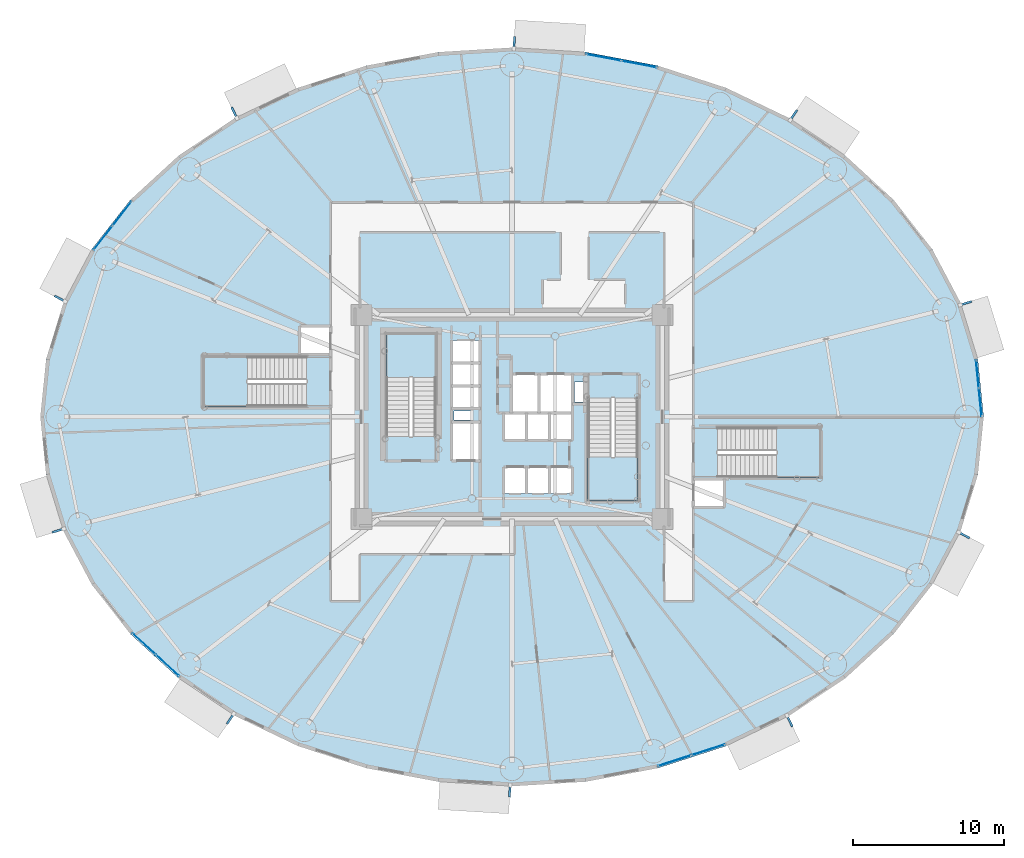
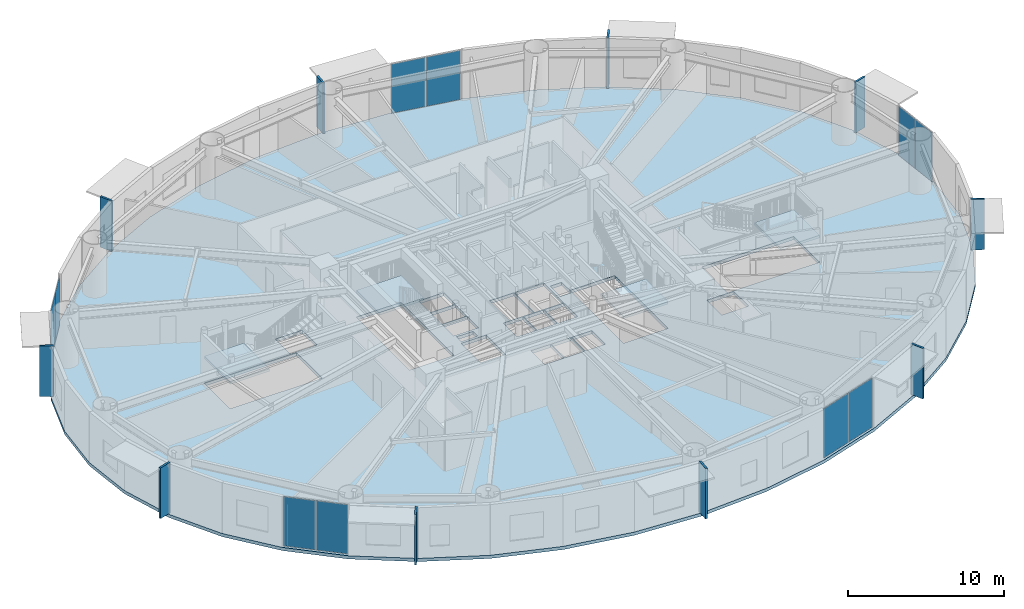
# One storey, part 12 of 32: 20 plates, 5 slabs, 9 elements without a shape of their own.
"""IFC4 building model written with IfcOpenShell, lengths in metres."""

from ifc_helpers import new_model, si_unit, direction, frame, origin, origin_2d, place, context, subcontext, project, spatial, polyline, rectangle, outline, extrude, source, transform, mapped, material, layer, layer_set, type_object, element, aggregate, save


model = new_model("IFC4")

# Units and contexts
model_context = context("Model", 3, precision=1e-05, world=origin(), true_north=direction((0.0, 1.0)))
body_context = subcontext(model_context, "Body", "Model", "MODEL_VIEW")
ifc_project = project(units=[si_unit("LENGTHUNIT", "METRE"), si_unit("AREAUNIT", "SQUARE_METRE"), si_unit("VOLUMEUNIT", "CUBIC_METRE"), si_unit("PLANEANGLEUNIT", "RADIAN"), si_unit("MASSUNIT", "GRAM", prefix="KILO")], contexts=[model_context])

# Site, building, storey
site_placement = place(None, origin())
site = spatial("IfcSite", under=ifc_project, at=site_placement, CompositionType="ELEMENT")
building_placement = place(site_placement, origin())
building = spatial("IfcBuilding", under=site, at=building_placement, Name="Linh Dai School and Residence Tower", CompositionType="ELEMENT")
storey_placement = place(building_placement, frame((0.0, 0.0, 53.39990234375)))
storey = spatial("IfcBuildingStorey", under=building, at=storey_placement, Name="L12", CompositionType="ELEMENT", Elevation=53.39990234375)

# Slab
ifc_material_1 = material(Name="Concrete B45 (C35/45)", Category="concrete")
ifc_layer_1 = layer(ifc_material_1, 0.25)
ifc_layer_set_1 = layer_set([ifc_layer_1], Name="Concrete B45 (C35/45)")
slab_type_1 = type_object("IfcSlabType", Name="SLB-FLR250", PredefinedType="FLOOR", material=ifc_layer_set_1)
slab_1_placement = place(storey_placement, frame((0.0, 0.0, -0.25)))
element("IfcSlab", 1, at=slab_1_placement, inside=storey, type_object=slab_type_1, Name="L12 Composite Structural Floor Slab", PredefinedType="FLOOR", context=body_context, shape_type="SweptSolid", body=[
    extrude(outline(polyline([(67.199951171875, 27.0), (66.81591796875, 30.82177734375), (65.6728515625, 34.54931640625), (63.79931640625, 38.091064453125), (61.2412109375, 41.359619140625), (58.061767578125, 44.274658203125), (54.3388671875, 46.764404296875), (50.16455078125, 48.767333984375), (45.641357421875, 50.234375), (40.880859375, 51.129150390625), (36.0, 51.429931640625), (31.119140625, 51.129150390625), (26.358642578125, 50.234375), (21.83544921875, 48.767333984375), (17.6611328125, 46.764404296875), (13.938232421875, 44.274658203125), (10.7587890625, 41.359619140625), (8.20068359375, 38.091064453125), (6.3271484375, 34.54931640625), (5.18408203125, 30.82177734375), (4.800048828125, 27.0), (5.18408203125, 23.17822265625), (6.3271484375, 19.45068359375), (8.20068359375, 15.908935546875), (10.7587890625, 12.640380859375), (13.938232421875, 9.725341796875), (17.6611328125, 7.235595703125), (21.83544921875, 5.232666015625), (26.358642578125, 3.765625), (31.119140625, 2.870849609375), (36.0, 2.570068359375), (40.880859375, 2.870849609375), (45.641357421875, 3.765625), (50.16455078125, 5.232666015625), (54.3388671875, 7.235595703125), (58.061767578125, 9.725341796875), (61.2412109375, 12.640380859375), (63.79931640625, 15.908935546875), (65.6728515625, 19.45068359375), (66.81591796875, 23.17822265625), (67.199951171875, 27.0)]), holes=[polyline([(30.97998046875, 25.699951171875), (30.97998046875, 32.5), (27.679931640625, 32.5), (27.679931640625, 25.699951171875), (30.97998046875, 25.699951171875)]), polyline([(41.02001953125, 28.25), (41.02001953125, 21.449951171875), (44.320068359375, 21.449951171875), (44.320068359375, 28.25), (41.02001953125, 28.25)]), polyline([(22.39990234375, 31.0), (15.60009765625, 31.0), (15.60009765625, 27.699951171875), (22.39990234375, 27.699951171875), (22.39990234375, 31.0)]), polyline([(49.60009765625, 23.0), (56.39990234375, 23.0), (56.39990234375, 26.300048828125), (49.60009765625, 26.300048828125), (49.60009765625, 23.0)]), polyline([(35.97998046875, 27.280029296875), (37.77001953125, 27.280029296875), (37.77001953125, 29.820068359375), (35.97998046875, 29.820068359375), (35.97998046875, 27.280029296875)]), polyline([(32.030029296875, 24.1298828125), (33.8701171875, 24.1298828125), (33.8701171875, 26.6201171875), (32.030029296875, 26.6201171875), (32.030029296875, 24.1298828125)]), polyline([(37.830078125, 27.280029296875), (39.969970703125, 27.280029296875), (39.969970703125, 29.820068359375), (37.830078125, 29.820068359375), (37.830078125, 27.280029296875)]), polyline([(35.47998046875, 21.929931640625), (36.929931640625, 21.929931640625), (36.929931640625, 23.669921875), (35.47998046875, 23.669921875), (35.47998046875, 21.929931640625)]), polyline([(36.989990234375, 21.929931640625), (38.449951171875, 21.929931640625), (38.449951171875, 23.669921875), (36.989990234375, 23.669921875), (36.989990234375, 21.929931640625)]), polyline([(38.510009765625, 21.929931640625), (39.969970703125, 21.929931640625), (39.969970703125, 23.669921875), (38.510009765625, 23.669921875), (38.510009765625, 21.929931640625)]), polyline([(32.030029296875, 27.580078125), (33.8701171875, 27.580078125), (33.8701171875, 29.030029296875), (32.030029296875, 29.030029296875), (32.030029296875, 27.580078125)]), polyline([(32.030029296875, 29.090087890625), (33.8701171875, 29.090087890625), (33.8701171875, 30.550048828125), (32.030029296875, 30.550048828125), (32.030029296875, 29.090087890625)]), polyline([(32.030029296875, 30.610107421875), (33.8701171875, 30.610107421875), (33.8701171875, 32.070068359375), (32.030029296875, 32.070068359375), (32.030029296875, 30.610107421875)]), polyline([(35.47998046875, 25.47998046875), (36.929931640625, 25.47998046875), (36.929931640625, 27.219970703125), (35.47998046875, 27.219970703125), (35.47998046875, 25.47998046875)]), polyline([(36.989990234375, 25.47998046875), (38.449951171875, 25.47998046875), (38.449951171875, 27.219970703125), (36.989990234375, 27.219970703125), (36.989990234375, 25.47998046875)]), polyline([(38.510009765625, 25.47998046875), (39.969970703125, 25.47998046875), (39.969970703125, 27.219970703125), (38.510009765625, 27.219970703125), (38.510009765625, 25.47998046875)]), polyline([(21.97998046875, 31.080078125), (23.969970703125, 31.080078125), (23.969970703125, 32.969970703125), (21.97998046875, 32.969970703125), (21.97998046875, 31.080078125)]), polyline([(48.030029296875, 21.030029296875), (50.02001953125, 21.030029296875), (50.02001953125, 22.919921875), (48.030029296875, 22.919921875), (48.030029296875, 21.030029296875)]), polyline([(40.14990234375, 28.0), (40.14990234375, 29.300048828125), (41.0, 29.300048828125), (41.0, 28.280029296875), (40.989990234375, 28.280029296875), (40.989990234375, 28.0), (40.14990234375, 28.0)]), polyline([(32.14990234375, 26.800048828125), (33.35009765625, 26.800048828125), (33.35009765625, 27.39990234375), (32.14990234375, 27.39990234375), (32.14990234375, 26.800048828125)])]), origin(), (0.0, 0.0, 1.0), 0.25),
])

# Stair, slab
stair_type = type_object("IfcStairType", Name="ST-DOG-1550-R1500", PredefinedType="HALF_TURN_STAIR", material=ifc_material_1)
stair_1_placement = place(storey_placement, origin())
stair_1 = element("IfcStair", 2, at=stair_1_placement, inside=storey, type_object=stair_type, Name="L12 Core Smokeproof Exit Stair ST1", PredefinedType="HALF_TURN_STAIR")
ifc_layer_2 = layer(ifc_material_1, 0.199951171875)
ifc_layer_set_2 = layer_set([ifc_layer_2], Name="Concrete B45 (C35/45)")
slab_type_2 = type_object("IfcSlabType", Name="SLB-ST-LANDING-200", PredefinedType="LANDING", material=ifc_layer_set_2)
slab_2_placement = place(storey_placement, frame((0.0, 0.0, 1.900146484375)))
slab_2 = element("IfcSlab", 3, at=slab_2_placement, type_object=slab_type_2, Name="ST1 landing 1", PredefinedType="LANDING", context=body_context, shape_type="SweptSolid", body=[
    extrude(outline(polyline([(30.97998046875, 29.60009765625), (30.97998046875, 32.5), (27.679931640625, 32.5), (27.679931640625, 29.60009765625), (30.97998046875, 29.60009765625)])), origin(), (0.0, 0.0, 1.0), 0.199951171875),
])
aggregate(stair_1, [slab_2])

stair_2_placement = place(storey_placement, origin())
stair_2 = element("IfcStair", 4, at=stair_2_placement, inside=storey, type_object=stair_type, Name="L12 Core Smokeproof Exit Stair ST2", PredefinedType="HALF_TURN_STAIR")
slab_3_placement = place(storey_placement, frame((0.0, 0.0, 1.900146484375)))
slab_3 = element("IfcSlab", 5, at=slab_3_placement, type_object=slab_type_2, Name="ST2 landing 1", PredefinedType="LANDING", context=body_context, shape_type="SweptSolid", body=[
    extrude(outline(polyline([(41.02001953125, 24.35009765625), (41.02001953125, 21.449951171875), (44.320068359375, 21.449951171875), (44.320068359375, 24.35009765625), (41.02001953125, 24.35009765625)])), origin(), (0.0, 0.0, 1.0), 0.199951171875),
])
aggregate(stair_2, [slab_3])

stair_3_placement = place(storey_placement, origin())
stair_3 = element("IfcStair", 6, at=stair_3_placement, inside=storey, type_object=stair_type, Name="L12 School Exit Stair STS1", PredefinedType="HALF_TURN_STAIR")
slab_4_placement = place(storey_placement, frame((0.0, 0.0, 1.900146484375)))
slab_4 = element("IfcSlab", 7, at=slab_4_placement, type_object=slab_type_2, Name="STS1 landing 1", PredefinedType="LANDING", context=body_context, shape_type="SweptSolid", body=[
    extrude(outline(polyline([(18.5, 31.0), (15.60009765625, 31.0), (15.60009765625, 27.699951171875), (18.5, 27.699951171875), (18.5, 31.0)])), origin(), (0.0, 0.0, 1.0), 0.199951171875),
])
aggregate(stair_3, [slab_4])

stair_4_placement = place(storey_placement, origin())
stair_4 = element("IfcStair", 8, at=stair_4_placement, inside=storey, type_object=stair_type, Name="L12 School Exit Stair STS2", PredefinedType="HALF_TURN_STAIR")
slab_5_placement = place(storey_placement, frame((0.0, 0.0, 1.900146484375)))
slab_5 = element("IfcSlab", 9, at=slab_5_placement, type_object=slab_type_2, Name="STS2 landing 1", PredefinedType="LANDING", context=body_context, shape_type="SweptSolid", body=[
    extrude(outline(polyline([(53.5, 23.0), (56.39990234375, 23.0), (56.39990234375, 26.300048828125), (53.5, 26.300048828125), (53.5, 23.0)])), origin(), (0.0, 0.0, 1.0), 0.199951171875),
])
aggregate(stair_4, [slab_5])

# Curtain wall, plates
ifc_material_2 = material(Name="Aluminium Anodised Curtain Wall", Category="aluminium")
ifc_layer_3 = layer(ifc_material_2, 0.159912109375)
ifc_layer_set_3 = layer_set([ifc_layer_3], Name="Aluminium Anodised Curtain Wall")
curtain_wall_type = type_object("IfcCurtainWallType", Name="CW-SYS-3", PredefinedType="USERDEFINED", material=ifc_layer_set_3)
curtain_wall_1_placement = place(storey_placement, origin())
curtain_wall_1 = element("IfcCurtainWall", 10, at=curtain_wall_1_placement, inside=storey, type_object=curtain_wall_type, Name="L12 CW3 Curtain Wall 01", ObjectType="RIBBON CURTAIN WALL", PredefinedType="USERDEFINED")
ifc_material_3 = material(Name="Double Low-E Insulated Glazing", Category="glass")
ifc_layer_4 = layer(ifc_material_3, 0.028076171875)
ifc_layer_set_4 = layer_set([ifc_layer_4], Name="Double Low-E Insulated Glazing")
plate_type_1 = type_object("IfcPlateType", Name="CW-SYS-3-PAN", PredefinedType="CURTAIN_PANEL", material=ifc_layer_set_4)
shared_shape_1 = source(origin(), body_context, "Body", "SweptSolid", [
    extrude(rectangle(XDim=1.825439453125, YDim=0.028076171875, at=origin_2d()), origin(), (0.0, 0.0, 1.0), 3.840087890625),
])
plate_1_placement = place(storey_placement, frame((66.7900390625, 29.833984375, 0.05517578125), z_axis=(0.0, 0.0, 1.0), x_axis=(0.100009387998, -0.994986493533, 0.0)))
plate_1 = element("IfcPlate", 11, at=plate_1_placement, type_object=plate_type_1, Name="CW3 panel 1.1", PredefinedType="CURTAIN_PANEL", context=body_context, shape_type="MappedRepresentation", body=[
    mapped(shared_shape_1, transform((0.0, 0.0, 0.0), x_axis=(1.0, 0.0, 0.0), y_axis=(0.0, 1.0, 0.0), z_axis=(0.0, 0.0, 1.0), scale=1.0)),
])
plate_2_placement = place(storey_placement, frame((66.978271484375, 27.962890625, 0.05517578125), z_axis=(0.0, 0.0, 1.0), x_axis=(0.100009387998, -0.994986493533, 0.0)))
plate_2 = element("IfcPlate", 12, at=plate_2_placement, type_object=plate_type_1, Name="CW3 panel 2.1", PredefinedType="CURTAIN_PANEL", context=body_context, shape_type="MappedRepresentation", body=[
    mapped(shared_shape_1, transform((0.0, 0.0, 0.0), x_axis=(1.0, 0.0, 0.0), y_axis=(0.0, 1.0, 0.0), z_axis=(0.0, 0.0, 1.0), scale=1.0)),
])
aggregate(curtain_wall_1, [plate_1, plate_2])

# Plates
ifc_material_4 = material(Name="Precast Concrete B45 (C35/45)", Category="concrete")
ifc_layer_5 = layer(ifc_material_4, 0.139892578125)
ifc_layer_set_5 = layer_set([ifc_layer_5], Name="Precast Concrete B45 (C35/45)")
plate_type_2 = type_object("IfcPlateType", Name="FIN-TC-900x140", PredefinedType="USERDEFINED", material=ifc_layer_set_5)
shared_shape_2 = source(origin(), body_context, "Body", "SweptSolid", [
    extrude(rectangle(XDim=0.89990234375, YDim=0.139892578125, at=origin_2d()), origin(), (0.0, 0.0, 1.0), 3.949951171875),
])
for number, where, z_axis, x_axis, name in (
    (13, (65.984619140625, 34.5068359375, 0.0), (0.0, 0.0, 1.0), (0.956067769001, 0.293145733514, 0.0), "L12 Precast Terracotta Radial Fin 02"),
    (14, (54.604736328125, 46.9296875, 0.0), (0.0, 0.0, 1.0), (0.555897899828, 0.831250578927, 0.0), "L12 Precast Terracotta Radial Fin 06"),
    (15, (36.14501953125, 51.706787109375, 0.0), (0.0, 0.0, 1.0), (0.061506595367, 0.998106677027, 0.0), "L12 Precast Terracotta Radial Fin 10"),
    (16, (17.65380859375, 47.0771484375, 0.0), (0.0, 0.0, 1.0), (-0.432603008528, 0.901584514626, 0.0), "L12 Precast Terracotta Radial Fin 14"),
    (17, (6.13623046875, 34.799072265625, 0.0), (0.0, 0.0, 1.0), (-0.883933862645, 0.467611940042, 0.0), "L12 Precast Terracotta Radial Fin 18"),
    (18, (6.015380859375, 19.4931640625, 0.0), (0.0, 0.0, 1.0), (-0.956067769001, -0.293145733514, 0.0), "L12 Precast Terracotta Radial Fin 22"),
    (19, (17.395263671875, 7.0703125, 0.0), (0.0, 0.0, 1.0), (-0.555897899828, -0.831250578927, 0.0), "L12 Precast Terracotta Radial Fin 26"),
    (20, (35.85498046875, 2.293212890625, 0.0), (0.0, 0.0, 1.0), (-0.061506595367, -0.998106677027, 0.0), "L12 Precast Terracotta Radial Fin 30"),
    (21, (54.34619140625, 6.9228515625, 0.0), (0.0, 0.0, 1.0), (0.432603008528, -0.901584514626, 0.0), "L12 Precast Terracotta Radial Fin 34"),
    (22, (65.86376953125, 19.200927734375, 0.0), (0.0, 0.0, 1.0), (0.883933862645, -0.467611940042, 0.0), "L12 Precast Terracotta Radial Fin 38"),
):
    element("IfcPlate", number, at=place(storey_placement, frame(where, z_axis=z_axis, x_axis=x_axis)), inside=storey, type_object=plate_type_2, Name=name, ObjectType="RADIAL FIN", PredefinedType="USERDEFINED", context=body_context, shape_type="MappedRepresentation", body=[
        mapped(shared_shape_2, transform((0.0, 0.0, 0.0), x_axis=(1.0, 0.0, 0.0), y_axis=(0.0, 1.0, 0.0), z_axis=(0.0, 0.0, 1.0), scale=1.0)),
    ])

# Curtain wall, plates
curtain_wall_2_placement = place(storey_placement, origin())
curtain_wall_2 = element("IfcCurtainWall", 23, at=curtain_wall_2_placement, inside=storey, type_object=curtain_wall_type, Name="L12 CW3 Curtain Wall 09", ObjectType="RIBBON CURTAIN WALL", PredefinedType="USERDEFINED")
shared_shape_3 = source(origin(), body_context, "Body", "SweptSolid", [
    extrude(rectangle(XDim=2.33154296875, YDim=0.028076171875, at=origin_2d()), origin(), (0.0, 0.0, 1.0), 3.840087890625),
])
plate_3_placement = place(storey_placement, frame((42.065185546875, 50.779541015625, 0.05517578125), z_axis=(0.0, 0.0, 1.0), x_axis=(0.982785935675, -0.184747948944, 0.0)))
plate_3 = element("IfcPlate", 24, at=plate_3_placement, type_object=plate_type_1, Name="CW3 panel 1.1", PredefinedType="CURTAIN_PANEL", context=body_context, shape_type="MappedRepresentation", body=[
    mapped(shared_shape_3, transform((0.0, 0.0, 0.0), x_axis=(1.0, 0.0, 0.0), y_axis=(0.0, 1.0, 0.0), z_axis=(0.0, 0.0, 1.0), scale=1.0)),
])
plate_4_placement = place(storey_placement, frame((44.41064453125, 50.338623046875, 0.05517578125), z_axis=(0.0, 0.0, 1.0), x_axis=(0.982785935675, -0.184747948944, 0.0)))
plate_4 = element("IfcPlate", 25, at=plate_4_placement, type_object=plate_type_1, Name="CW3 panel 2.1", PredefinedType="CURTAIN_PANEL", context=body_context, shape_type="MappedRepresentation", body=[
    mapped(shared_shape_3, transform((0.0, 0.0, 0.0), x_axis=(1.0, 0.0, 0.0), y_axis=(0.0, 1.0, 0.0), z_axis=(0.0, 0.0, 1.0), scale=1.0)),
])
aggregate(curtain_wall_2, [plate_3, plate_4])

curtain_wall_3_placement = place(storey_placement, origin())
curtain_wall_3 = element("IfcCurtainWall", 26, at=curtain_wall_3_placement, inside=storey, type_object=curtain_wall_type, Name="L12 CW3 Curtain Wall 17", ObjectType="RIBBON CURTAIN WALL", PredefinedType="USERDEFINED")
shared_shape_4 = source(origin(), body_context, "Body", "SweptSolid", [
    extrude(rectangle(XDim=1.982177734375, YDim=0.028076171875, at=origin_2d()), origin(), (0.0, 0.0, 1.0), 3.840087890625),
])
plate_5_placement = place(storey_placement, frame((8.9501953125, 38.8466796875, 0.05517578125), z_axis=(0.0, 0.0, 1.0), x_axis=(0.616319427785, 0.787496262172, 0.0)))
plate_5 = element("IfcPlate", 27, at=plate_5_placement, type_object=plate_type_1, Name="CW3 panel 1.1", PredefinedType="CURTAIN_PANEL", context=body_context, shape_type="MappedRepresentation", body=[
    mapped(shared_shape_4, transform((0.0, 0.0, 0.0), x_axis=(1.0, 0.0, 0.0), y_axis=(0.0, 1.0, 0.0), z_axis=(0.0, 0.0, 1.0), scale=1.0)),
])
plate_6_placement = place(storey_placement, frame((10.20556640625, 40.45068359375, 0.05517578125), z_axis=(0.0, 0.0, 1.0), x_axis=(0.616319427785, 0.787496262172, 0.0)))
plate_6 = element("IfcPlate", 28, at=plate_6_placement, type_object=plate_type_1, Name="CW3 panel 2.1", PredefinedType="CURTAIN_PANEL", context=body_context, shape_type="MappedRepresentation", body=[
    mapped(shared_shape_4, transform((0.0, 0.0, 0.0), x_axis=(1.0, 0.0, 0.0), y_axis=(0.0, 1.0, 0.0), z_axis=(0.0, 0.0, 1.0), scale=1.0)),
])
aggregate(curtain_wall_3, [plate_5, plate_6])

curtain_wall_4_placement = place(storey_placement, origin())
curtain_wall_4 = element("IfcCurtainWall", 29, at=curtain_wall_4_placement, inside=storey, type_object=curtain_wall_type, Name="L12 CW3 Curtain Wall 25", ObjectType="RIBBON CURTAIN WALL", PredefinedType="USERDEFINED")
shared_shape_5 = source(origin(), body_context, "Body", "SweptSolid", [
    extrude(rectangle(XDim=2.064453125, YDim=0.028076171875, at=origin_2d()), origin(), (0.0, 0.0, 1.0), 3.840087890625),
])
plate_7_placement = place(storey_placement, frame((13.2138671875, 10.55859375, 0.05517578125), z_axis=(0.0, 0.0, 1.0), x_axis=(-0.737113246362, 0.675769237268, 0.0)))
plate_7 = element("IfcPlate", 30, at=plate_7_placement, type_object=plate_type_1, Name="CW3 panel 1.1", PredefinedType="CURTAIN_PANEL", context=body_context, shape_type="MappedRepresentation", body=[
    mapped(shared_shape_5, transform((0.0, 0.0, 0.0), x_axis=(1.0, 0.0, 0.0), y_axis=(0.0, 1.0, 0.0), z_axis=(0.0, 0.0, 1.0), scale=1.0)),
])
plate_8_placement = place(storey_placement, frame((11.651611328125, 11.99072265625, 0.05517578125), z_axis=(0.0, 0.0, 1.0), x_axis=(-0.737113246362, 0.675769237268, 0.0)))
plate_8 = element("IfcPlate", 31, at=plate_8_placement, type_object=plate_type_1, Name="CW3 panel 2.1", PredefinedType="CURTAIN_PANEL", context=body_context, shape_type="MappedRepresentation", body=[
    mapped(shared_shape_5, transform((0.0, 0.0, 0.0), x_axis=(1.0, 0.0, 0.0), y_axis=(0.0, 1.0, 0.0), z_axis=(0.0, 0.0, 1.0), scale=1.0)),
])
aggregate(curtain_wall_4, [plate_7, plate_8])

curtain_wall_5_placement = place(storey_placement, origin())
curtain_wall_5 = element("IfcCurtainWall", 32, at=curtain_wall_5_placement, inside=storey, type_object=curtain_wall_type, Name="L12 CW3 Curtain Wall 33", ObjectType="RIBBON CURTAIN WALL", PredefinedType="USERDEFINED")
shared_shape_6 = source(origin(), body_context, "Body", "SweptSolid", [
    extrude(rectangle(XDim=2.286865234375, YDim=0.028076171875, at=origin_2d()), origin(), (0.0, 0.0, 1.0), 3.840087890625),
])
plate_9_placement = place(storey_placement, frame((48.978271484375, 4.97900390625, 0.05517578125), z_axis=(0.0, 0.0, 1.0), x_axis=(-0.951220777043, -0.308510993844, 0.0)))
plate_9 = element("IfcPlate", 33, at=plate_9_placement, type_object=plate_type_1, Name="CW3 panel 1.1", PredefinedType="CURTAIN_PANEL", context=body_context, shape_type="MappedRepresentation", body=[
    mapped(shared_shape_6, transform((0.0, 0.0, 0.0), x_axis=(1.0, 0.0, 0.0), y_axis=(0.0, 1.0, 0.0), z_axis=(0.0, 0.0, 1.0), scale=1.0)),
])
plate_10_placement = place(storey_placement, frame((46.75048828125, 4.256591796875, 0.05517578125), z_axis=(0.0, 0.0, 1.0), x_axis=(-0.951220777043, -0.308510993844, 0.0)))
plate_10 = element("IfcPlate", 34, at=plate_10_placement, type_object=plate_type_1, Name="CW3 panel 2.1", PredefinedType="CURTAIN_PANEL", context=body_context, shape_type="MappedRepresentation", body=[
    mapped(shared_shape_6, transform((0.0, 0.0, 0.0), x_axis=(1.0, 0.0, 0.0), y_axis=(0.0, 1.0, 0.0), z_axis=(0.0, 0.0, 1.0), scale=1.0)),
])
aggregate(curtain_wall_5, [plate_9, plate_10])

save(model, "model.ifc")
